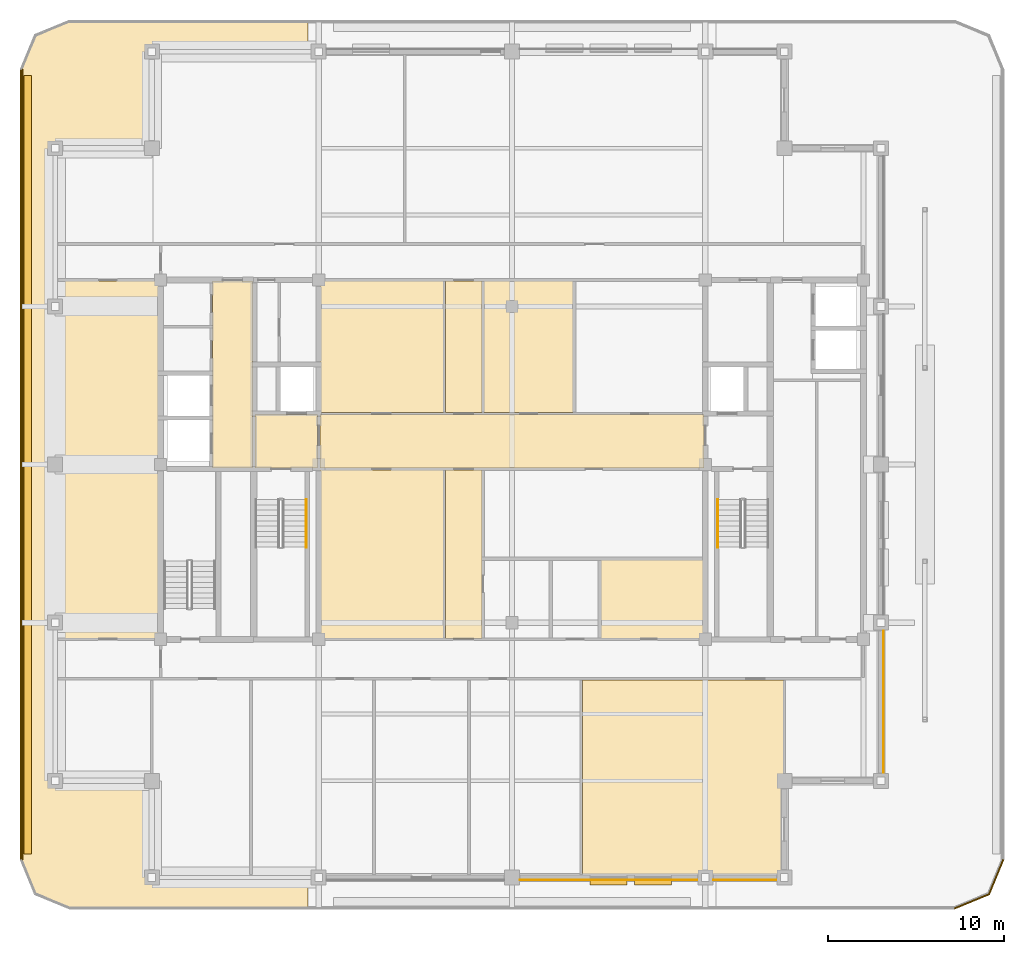
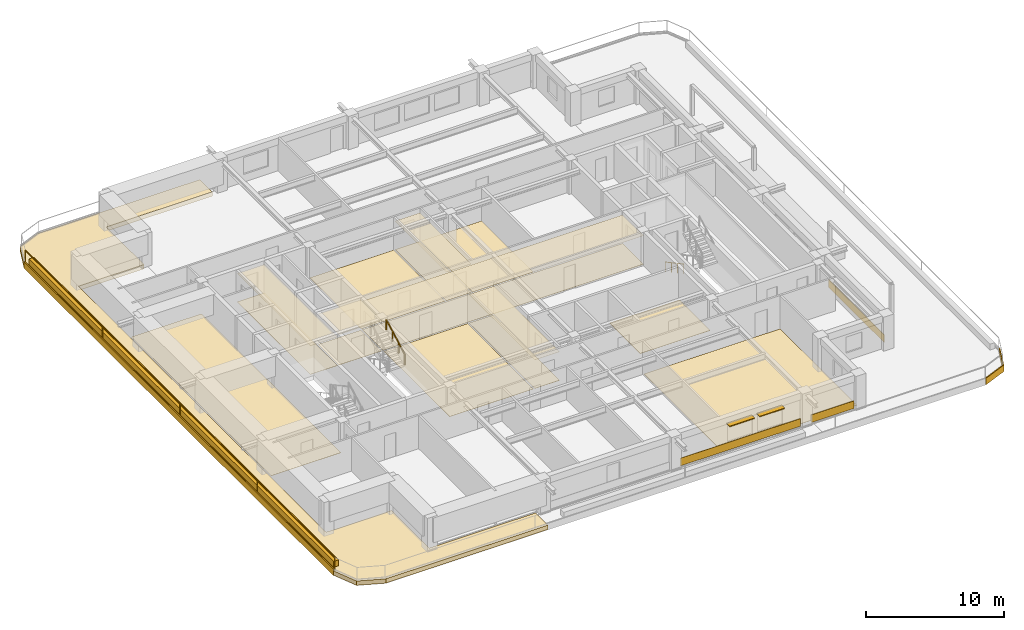
# One storey, part 12 of 14: 24 coverings, 3 railings, 2 shading devices.
"""IFC4 building model written with IfcOpenShell, lengths in metres."""

import ifcopenshell
import ifcopenshell.guid

model = None  # the IFC model being written
_history = None  # IfcOwnerHistory: only IFC2X3 demands one
_inside = {}  # id of a spatial element -> (the spatial element, [elements in it])
_under = {}  # id of a project, library or spatial element -> (it, [spatial elements below it])
_declared = {}  # id of a project -> (the project, [libraries it declares])
_typed = {}  # id of a type object -> (the type object, [elements of that type])
_made_of = {}  # id of a material, layer set ... -> (it, [elements and type objects made of it])


def new_model(schema):
    """Start an empty IFC model of exactly this schema.

    Asked for "IFC4X3", IfcOpenShell would pick the latest addendum, in which some entities
    have other attributes; the version numbers below select the first issue.
    IFC2X3 requires an IfcOwnerHistory on every rooted entity: one is made here for all.
    """
    global model, _history
    if schema == "IFC4X3":
        model = ifcopenshell.file(schema_version=(4, 3, 0, 0))
    else:
        model = ifcopenshell.file(schema=schema)
    _inside.clear()
    _under.clear()
    _declared.clear()
    _typed.clear()
    _made_of.clear()
    _history = None
    if model.schema == "IFC2X3":
        org = make("IfcOrganization", Name="unknown")
        user = make(
            "IfcPersonAndOrganization",
            ThePerson=make("IfcPerson", FamilyName="unknown"),
            TheOrganization=org,
        )
        app = make(
            "IfcApplication",
            ApplicationDeveloper=org,
            Version="unknown",
            ApplicationFullName="unknown",
            ApplicationIdentifier="unknown",
        )
        _history = make(
            "IfcOwnerHistory",
            OwningUser=user,
            OwningApplication=app,
            ChangeAction="ADDED",
            CreationDate=0,
        )
    return model


def make(cls, **values):
    """One entity of the class cls with the attributes given. An attribute that is None is left unset."""
    return model.create_entity(
        cls, **{name: value for name, value in values.items() if value is not None}
    )


def rooted(cls, **values):
    """An entity with a GlobalId (a new one), such as an element, a storey or a relation."""
    return make(cls, GlobalId=ifcopenshell.guid.new(), OwnerHistory=_history, **values)


def si_unit(unit_type, name, prefix=None):
    """IfcSIUnit, for example si_unit("LENGTHUNIT", "METRE", prefix="MILLI")."""
    return make("IfcSIUnit", UnitType=unit_type, Prefix=prefix, Name=name)


def assignment(units):
    """IfcUnitAssignment: the units of a project."""
    return None if units is None else make("IfcUnitAssignment", Units=units)


def point(xyz):
    """IfcCartesianPoint."""
    return None if xyz is None else make("IfcCartesianPoint", Coordinates=xyz)


def direction(xyz):
    """IfcDirection."""
    return None if xyz is None else make("IfcDirection", DirectionRatios=xyz)


def frame(location, z_axis=None, x_axis=None):
    """IfcAxis2Placement3D, a coordinate frame: its origin and axes. An axis left out is left unset."""
    return make(
        "IfcAxis2Placement3D",
        Location=point(location),
        Axis=direction(z_axis),
        RefDirection=direction(x_axis),
    )


def frame_2d(location, x_axis=None):
    """IfcAxis2Placement2D, a coordinate frame in the plane: its origin and x axis."""
    return make(
        "IfcAxis2Placement2D", Location=point(location), RefDirection=direction(x_axis)
    )


def origin():
    """The frame at (0, 0, 0) with its axes left unset."""
    return frame((0.0, 0.0, 0.0))


def origin_2d():
    """The frame at (0, 0) in the plane with its x axis left unset."""
    return frame_2d((0.0, 0.0))


def place(relative_to, where):
    """IfcLocalPlacement: puts the frame where relative to a parent placement (None: the world)."""
    return make(
        "IfcLocalPlacement", PlacementRelTo=relative_to, RelativePlacement=where
    )


def context(
    kind, dimensions, precision=None, world=None, true_north=None, identifier=None
):
    """IfcGeometricRepresentationContext, for example the 3D "Model" context."""
    return make(
        "IfcGeometricRepresentationContext",
        ContextIdentifier=identifier,
        ContextType=kind,
        CoordinateSpaceDimension=dimensions,
        Precision=precision,
        WorldCoordinateSystem=world,
        TrueNorth=true_north,
    )


def subcontext(parent, identifier, kind, view, scale=None):
    """IfcGeometricRepresentationSubContext, for example "Body" below "Model"."""
    return make(
        "IfcGeometricRepresentationSubContext",
        ContextIdentifier=identifier,
        ContextType=kind,
        ParentContext=parent,
        TargetScale=scale,
        TargetView=view,
    )


def project(units=None, contexts=None):
    """IfcProject with its units and contexts."""
    return rooted(
        "IfcProject",
        Name="project",
        RepresentationContexts=contexts,
        UnitsInContext=assignment(units),
    )


def spatial(cls, under=None, at=None, **own):
    """A site, building, storey or space (cls), placed at a placement, below another one or the project."""
    s = rooted(cls, ObjectPlacement=at, **own)
    if under is not None:
        _under.setdefault(under.id(), (under, []))[1].append(s)
    return s


def polyline(points):
    """IfcPolyline through the points."""
    return make("IfcPolyline", Points=[point(p) for p in points])


def profile(cls, at=None, kind="AREA", **sizes):
    """A parametric profile (cls). Its sizes go by their IFC names, for example OverallWidth=200.0."""
    return make(cls, ProfileType=kind, Position=at, **sizes)


def rectangle(**sizes):
    """IfcRectangleProfileDef."""
    return profile("IfcRectangleProfileDef", **sizes)


def outline(outer, holes=None, kind="AREA"):
    """IfcArbitraryClosedProfileDef: a profile drawn as a closed curve; with holes, ...WithVoids."""
    if holes is None:
        return make("IfcArbitraryClosedProfileDef", ProfileType=kind, OuterCurve=outer)
    return make(
        "IfcArbitraryProfileDefWithVoids",
        ProfileType=kind,
        OuterCurve=outer,
        InnerCurves=holes,
    )


def extrude(swept, where, along, depth):
    """IfcExtrudedAreaSolid: the profile swept, set in the frame where, extruded along a direction by depth."""
    return make(
        "IfcExtrudedAreaSolid",
        SweptArea=swept,
        Position=where,
        ExtrudedDirection=direction(along),
        Depth=depth,
    )


def shape(context_of_items, identifier, shape_type, items):
    """IfcShapeRepresentation: the items that make up one representation, for example the "Body"."""
    return make(
        "IfcShapeRepresentation",
        ContextOfItems=context_of_items,
        RepresentationIdentifier=identifier,
        RepresentationType=shape_type,
        Items=items,
    )


def material(Name=None, Category=None):
    """IfcMaterial."""
    return make("IfcMaterial", Name=Name, Category=Category)


def layer(
    of_material, thickness, ventilated=None, Name=None, Category=None, Priority=None
):
    """IfcMaterialLayer: one layer of a wall or slab, of a material (None: an air gap)."""
    return make(
        "IfcMaterialLayer",
        Material=of_material,
        LayerThickness=thickness,
        IsVentilated=ventilated,
        Name=Name,
        Category=Category,
        Priority=Priority,
    )


def layer_set(layers, Name=None):
    """IfcMaterialLayerSet."""
    return make("IfcMaterialLayerSet", MaterialLayers=layers, LayerSetName=Name)


def made_of(thing, what):
    """Note that an element or type object is made of a material, layer set ...; save() writes the relation."""
    if what is not None:
        _made_of.setdefault(what.id(), (what, []))[1].append(thing)
    return thing


def type_object(cls, material=None, **own):
    """A type object (cls), such as IfcWallType, which elements share."""
    return made_of(rooted(cls, **own), material)


def element(
    cls,
    number,
    at=None,
    inside=None,
    cuts=None,
    type_object=None,
    material=None,
    context=None,
    identifier="Body",
    shape_type=None,
    held_by="IfcProductDefinitionShape",
    body=None,
    shapes=None,
    **own,
):
    """One element of the class cls, such as IfcWall. Its Tag is "e" and its number.

    at: its placement. inside: the storey or other place that contains it. cuts: it is an
    opening in that element (IfcRelVoidsElement). A single representation is given by context,
    identifier, shape_type and body (its items); several are given by shapes. held_by: the class
    of the entity that holds the representations. save() writes the other relations.
    """
    e = rooted(cls, Tag="e%d" % number, ObjectPlacement=at, **own)
    if body is not None:
        shapes = [shape(context, identifier, shape_type, body)]
    if shapes is not None:
        e.Representation = make(held_by, Representations=shapes)
    if inside is not None:
        _inside.setdefault(inside.id(), (inside, []))[1].append(e)
    if cuts is not None:
        rooted(
            "IfcRelVoidsElement", RelatingBuildingElement=cuts, RelatedOpeningElement=e
        )
    if type_object is not None:
        _typed.setdefault(type_object.id(), (type_object, []))[1].append(e)
    return made_of(e, material)


def aggregate(whole, parts):
    """IfcRelAggregates: a whole, such as a stair, and the parts it consists of."""
    return rooted("IfcRelAggregates", RelatingObject=whole, RelatedObjects=parts)


def save(model, path):
    """Write the relations noted so far, then the file.

    IfcRelAggregates (storeys below a building ...), IfcRelContainedInSpatialStructure (elements
    in a storey), IfcRelDefinesByType, IfcRelAssociatesMaterial and IfcRelDeclares: one each for
    every whole, place, type object, material and project.
    """
    for whole, parts in _under.values():
        aggregate(whole, parts)
    for where, things in _inside.values():
        rooted(
            "IfcRelContainedInSpatialStructure",
            RelatedElements=things,
            RelatingStructure=where,
        )
    for kind, things in _typed.values():
        rooted("IfcRelDefinesByType", RelatedObjects=things, RelatingType=kind)
    for what, things in _made_of.values():
        rooted("IfcRelAssociatesMaterial", RelatedObjects=things, RelatingMaterial=what)
    for by, libraries in _declared.values():
        rooted("IfcRelDeclares", RelatingContext=by, RelatedDefinitions=libraries)
    model.write(path)


model = new_model("IFC4")

# Units and contexts
model_context = context("Model", 3, precision=1e-05, world=origin(), true_north=direction((0.0, 1.0)))
body_context = subcontext(model_context, "Body", "Model", "MODEL_VIEW")
ifc_project = project(units=[si_unit("LENGTHUNIT", "METRE"), si_unit("AREAUNIT", "SQUARE_METRE"), si_unit("VOLUMEUNIT", "CUBIC_METRE"), si_unit("PLANEANGLEUNIT", "RADIAN"), si_unit("MASSUNIT", "GRAM", prefix="KILO")], contexts=[model_context])

# Site, building, storey
site_placement = place(None, origin())
site = spatial("IfcSite", under=ifc_project, at=site_placement, CompositionType="ELEMENT")
building_placement = place(site_placement, origin())
building = spatial("IfcBuilding", under=site, at=building_placement, Name="Zulmaris Gate Convention Tower", CompositionType="ELEMENT")
storey_placement = place(building_placement, frame((0.0, 0.0, 254.429931640625)))
storey = spatial("IfcBuildingStorey", under=building, at=storey_placement, Name="L67", CompositionType="ELEMENT", Elevation=254.429931640625)

# Coverings
ifc_material_1 = material(Name="Precast concrete C40/50", Category="concrete")
ifc_layer_1 = layer(ifc_material_1, 0.0400390625, Name="Precast concrete C40/50")
ifc_layer_set_1 = layer_set([ifc_layer_1], Name="Precast concrete C40/50")
covering_type_1 = type_object("IfcCoveringType", Name="CLAD-SPANDREL-PRECAST", PredefinedType="CLADDING", material=ifc_layer_set_1)
covering_1_placement = place(storey_placement, frame((0.455078125, -23.64990234375, 0.0), z_axis=(0.0, 0.0, 1.0), x_axis=(1.0, 0.0, 0.0)))
element("IfcCovering", 1, at=covering_1_placement, inside=storey, type_object=covering_type_1, Name="CLD-L67-S-2_0", PredefinedType="CLADDING", context=body_context, shape_type="SweptSolid", body=[
    extrude(rectangle(XDim=10.08984375, YDim=0.0400390625, at=frame_2d((5.044921875, 0.0))), origin(), (0.0, 0.0, 1.0), 0.679931640625),
])
covering_2_placement = place(storey_placement, frame((11.455078125, -23.64990234375, 0.0), z_axis=(0.0, 0.0, 1.0), x_axis=(1.0, 0.0, 0.0)))
element("IfcCovering", 2, at=covering_2_placement, inside=storey, type_object=covering_type_1, Name="CLD-L67-S-3_0", PredefinedType="CLADDING", context=body_context, shape_type="SweptSolid", body=[
    extrude(rectangle(XDim=3.58984375, YDim=0.0400390625, at=frame_2d((1.794921875, 0.0))), origin(), (0.0, 0.0, 1.0), 0.679931640625),
])
covering_3_placement = place(storey_placement, frame((21.14990234375, -17.544921875, 0.0), z_axis=(0.0, 0.0, 1.0), x_axis=(0.0, 1.0, 0.0)))
element("IfcCovering", 3, at=covering_3_placement, inside=storey, type_object=covering_type_1, Name="CLD-L67-E-0_0", PredefinedType="CLADDING", context=body_context, shape_type="SweptSolid", body=[
    extrude(rectangle(XDim=8.08984375, YDim=0.0400390625, at=frame_2d((4.044921875, 0.0))), origin(), (0.0, 0.0, 1.0), 0.679931640625),
])
ifc_material_2 = material(Name="White Glazed Architectural Precast Concrete C40/50", Category="concrete")
ifc_layer_2 = layer(ifc_material_2, 0.239990234375, Name="White Glazed Architectural Precast Concrete C40/50")
ifc_layer_set_2 = layer_set([ifc_layer_2], Name="White Glazed Architectural Precast Concrete C40/50")
covering_type_2 = type_object("IfcCoveringType", Name="CLAD-TRAY-DECK", PredefinedType="CLADDING", material=ifc_layer_set_2)
covering_4_placement = place(storey_placement, frame((0.0, 0.0, -0.425048828125)))
element("IfcCovering", 4, at=covering_4_placement, inside=storey, type_object=covering_type_2, Name="L67 West Rounded-Fascia Planter Tray Deck", PredefinedType="CLADDING", context=body_context, shape_type="SweptSolid", body=[
    extrude(outline(polyline([(-28.0, 22.5), (-27.179931640625, 24.47998046875), (-25.199951171875, 25.300048828125), (-11.60205078125, 25.300048828125), (-11.60205078125, 23.5), (-20.5, 23.5), (-20.5, 18.0), (-26.0, 18.0), (-26.0, -18.0), (-20.5, -18.0), (-20.5, -23.5), (-11.60205078125, -23.5), (-11.60205078125, -25.300048828125), (-25.199951171875, -25.300048828125), (-27.179931640625, -24.47998046875), (-28.0, -22.5), (-28.0, 22.5)])), origin(), (0.0, 0.0, 1.0), 0.385009765625),
])
ifc_layer_3 = layer(ifc_material_2, 0.080078125, Name="White Glazed Architectural Precast Concrete C40/50")
ifc_layer_set_3 = layer_set([ifc_layer_3], Name="White Glazed Architectural Precast Concrete C40/50")
covering_type_3 = type_object("IfcCoveringType", Name="CLAD-TRAY-FASCIA", PredefinedType="CLADDING", material=ifc_layer_set_3)
covering_5_placement = place(storey_placement, frame((25.184814453125, -25.262939453125, -0.465087890625), z_axis=(0.0, 0.0, 1.0), x_axis=(0.923873803533, 0.382697263049, 0.0)))
element("IfcCovering", 5, at=covering_5_placement, inside=storey, type_object=covering_type_3, Name="FSC-L67-TR-03", PredefinedType="CLADDING", context=body_context, shape_type="SweptSolid", body=[
    extrude(rectangle(XDim=2.142822265625, YDim=0.080078125, at=frame_2d((1.0712890625, 0.0))), origin(), (0.0, 0.0, 1.0), 0.5849609375),
])
covering_6_placement = place(storey_placement, frame((27.142822265625, -24.464599609375, -0.465087890625), z_axis=(0.0, 0.0, 1.0), x_axis=(0.382656984709, 0.923890487046, 0.0)))
element("IfcCovering", 6, at=covering_6_placement, inside=storey, type_object=covering_type_3, Name="FSC-L67-TR-04", PredefinedType="CLADDING", context=body_context, shape_type="SweptSolid", body=[
    extrude(rectangle(XDim=2.14306640625, YDim=0.080078125, at=frame_2d((1.071533203125, 0.0))), origin(), (0.0, 0.0, 1.0), 0.5849609375),
])
covering_7_placement = place(storey_placement, frame((-27.9599609375, 22.5, -0.465087890625), z_axis=(0.0, 0.0, 1.0), x_axis=(0.0, -1.0, 0.0)))
element("IfcCovering", 7, at=covering_7_placement, inside=storey, type_object=covering_type_3, Name="FSC-L67-TR-11", PredefinedType="CLADDING", context=body_context, shape_type="SweptSolid", body=[
    extrude(rectangle(XDim=45.0, YDim=0.080078125, at=frame_2d((22.5, 0.0))), origin(), (0.0, 0.0, 1.0), 0.5849609375),
])
ifc_material_3 = material(Name="Mineral Fibre Acoustic Ceiling Tile")
ifc_layer_4 = layer(ifc_material_3, 0.02001953125, Name="Mineral Fibre Acoustic Ceiling Tile")
ifc_layer_set_4 = layer_set([ifc_layer_4], Name="Mineral Fibre Acoustic Ceiling Tile")
covering_type_4 = type_object("IfcCoveringType", Name="CLG-ACOUSTIC-600", PredefinedType="CEILING", material=ifc_layer_set_4)
covering_8_placement = place(storey_placement, frame((0.0, 0.0, 2.699951171875)))
element("IfcCovering", 8, at=covering_8_placement, inside=storey, type_object=covering_type_4, Name="CLG-L67-R03", PredefinedType="CEILING", context=body_context, shape_type="SweptSolid", body=[
    extrude(outline(polyline([(-14.639892578125, -0.18994140625), (-11.06005859375, -0.18994140625), (-11.06005859375, 2.840087890625), (-14.639892578125, 2.840087890625), (-14.639892578125, -0.18994140625)])), origin(), (0.0, 0.0, 1.0), 0.02001953125),
])
covering_9_placement = place(storey_placement, frame((0.0, 0.0, 2.5380859375)))
element("IfcCovering", 9, at=covering_9_placement, inside=storey, type_object=covering_type_4, Name="CLG-L67-R18", PredefinedType="CEILING", context=body_context, shape_type="SweptSolid", body=[
    extrude(outline(polyline([(-17.0400390625, -0.18994140625), (-14.760009765625, -0.18994140625), (-14.760009765625, 10.43994140625), (-17.0400390625, 10.43994140625), (-17.0400390625, -0.18994140625)])), origin(), (0.0, 0.0, 1.0), 0.019775390625),
])
covering_10_placement = place(storey_placement, frame((0.0, 0.0, 2.5380859375)))
element("IfcCovering", 10, at=covering_10_placement, inside=storey, type_object=covering_type_4, Name="CLG-L67-R31", PredefinedType="CEILING", context=body_context, shape_type="SweptSolid", body=[
    extrude(outline(polyline([(-10.93994140625, -0.18994140625), (10.93994140625, -0.18994140625), (10.93994140625, 2.840087890625), (-10.93994140625, 2.840087890625), (-10.93994140625, -0.18994140625)])), origin(), (0.0, 0.0, 1.0), 0.019775390625),
])
covering_11_placement = place(storey_placement, frame((0.0, 0.0, 2.5380859375)))
element("IfcCovering", 11, at=covering_11_placement, inside=storey, type_object=covering_type_4, Name="CLG-L67-R32", PredefinedType="CEILING", context=body_context, shape_type="SweptSolid", body=[
    extrude(outline(polyline([(-3.7900390625, 2.9599609375), (-1.7099609375, 2.9599609375), (-1.7099609375, 10.43994140625), (-3.7900390625, 10.43994140625), (-3.7900390625, 2.9599609375)])), origin(), (0.0, 0.0, 1.0), 0.019775390625),
])
covering_12_placement = place(storey_placement, frame((0.0, 0.0, 2.5380859375)))
element("IfcCovering", 12, at=covering_12_placement, inside=storey, type_object=covering_type_4, Name="CLG-L67-R33", PredefinedType="CEILING", context=body_context, shape_type="SweptSolid", body=[
    extrude(outline(polyline([(-3.7900390625, -9.889892578125), (-1.7099609375, -9.889892578125), (-1.7099609375, -0.31005859375), (-3.7900390625, -0.31005859375), (-3.7900390625, -9.889892578125)])), origin(), (0.0, 0.0, 1.0), 0.019775390625),
])
ifc_material_4 = material(Name="Woven Acoustic Wool Carpet Tile")
ifc_layer_5 = layer(ifc_material_4, 0.02001953125, Name="Woven Acoustic Wool Carpet Tile")
ifc_layer_set_5 = layer_set([ifc_layer_5], Name="Woven Acoustic Wool Carpet Tile")
covering_type_5 = type_object("IfcCoveringType", Name="FLR-CARPET-12", PredefinedType="FLOORING", material=ifc_layer_set_5)
covering_13_placement = place(storey_placement, origin())
element("IfcCovering", 13, at=covering_13_placement, inside=storey, type_object=covering_type_5, Name="FLR-L67-R03", PredefinedType="FLOORING", context=body_context, shape_type="SweptSolid", body=[
    extrude(outline(polyline([(-14.639892578125, -0.18994140625), (-11.06005859375, -0.18994140625), (-11.06005859375, 2.840087890625), (-14.639892578125, 2.840087890625), (-14.639892578125, -0.18994140625)])), origin(), (0.0, 0.0, 1.0), 0.02001953125),
])
covering_14_placement = place(storey_placement, origin())
element("IfcCovering", 14, at=covering_14_placement, inside=storey, type_object=covering_type_5, Name="FLR-L67-R18", PredefinedType="FLOORING", context=body_context, shape_type="SweptSolid", body=[
    extrude(outline(polyline([(-17.0400390625, -0.18994140625), (-14.760009765625, -0.18994140625), (-14.760009765625, 10.43994140625), (-17.0400390625, 10.43994140625), (-17.0400390625, -0.18994140625)])), origin(), (0.0, 0.0, 1.0), 0.02001953125),
])
covering_15_placement = place(storey_placement, origin())
element("IfcCovering", 15, at=covering_15_placement, inside=storey, type_object=covering_type_5, Name="FLR-L67-R31", PredefinedType="FLOORING", context=body_context, shape_type="SweptSolid", body=[
    extrude(outline(polyline([(-10.93994140625, -0.18994140625), (10.93994140625, -0.18994140625), (10.93994140625, 2.840087890625), (-10.93994140625, 2.840087890625), (-10.93994140625, -0.18994140625)])), origin(), (0.0, 0.0, 1.0), 0.02001953125),
])
covering_16_placement = place(storey_placement, origin())
element("IfcCovering", 16, at=covering_16_placement, inside=storey, type_object=covering_type_5, Name="FLR-L67-R32", PredefinedType="FLOORING", context=body_context, shape_type="SweptSolid", body=[
    extrude(outline(polyline([(-3.7900390625, 2.9599609375), (-1.7099609375, 2.9599609375), (-1.7099609375, 10.43994140625), (-3.7900390625, 10.43994140625), (-3.7900390625, 2.9599609375)])), origin(), (0.0, 0.0, 1.0), 0.02001953125),
])
covering_17_placement = place(storey_placement, origin())
element("IfcCovering", 17, at=covering_17_placement, inside=storey, type_object=covering_type_5, Name="FLR-L67-R33", PredefinedType="FLOORING", context=body_context, shape_type="SweptSolid", body=[
    extrude(outline(polyline([(-3.7900390625, -9.889892578125), (-1.7099609375, -9.889892578125), (-1.7099609375, -0.31005859375), (-3.7900390625, -0.31005859375), (-3.7900390625, -9.889892578125)])), origin(), (0.0, 0.0, 1.0), 0.02001953125),
])
covering_18_placement = place(storey_placement, origin())
element("IfcCovering", 18, at=covering_18_placement, inside=storey, type_object=covering_type_5, Name="FLR-L67-R40", PredefinedType="FLOORING", context=body_context, shape_type="SweptSolid", body=[
    extrude(outline(polyline([(4.010009765625, -23.43994140625), (15.43994140625, -23.43994140625), (15.43994140625, -12.260009765625), (4.010009765625, -12.260009765625), (4.010009765625, -23.43994140625)])), origin(), (0.0, 0.0, 1.0), 0.02001953125),
])
covering_19_placement = place(storey_placement, origin())
element("IfcCovering", 19, at=covering_19_placement, inside=storey, type_object=covering_type_5, Name="FLR-L67-R44", PredefinedType="FLOORING", context=body_context, shape_type="SweptSolid", body=[
    extrude(outline(polyline([(-10.93994140625, -9.889892578125), (-3.909912109375, -9.889892578125), (-3.909912109375, -0.31005859375), (-10.93994140625, -0.31005859375), (-10.93994140625, -9.889892578125)])), origin(), (0.0, 0.0, 1.0), 0.02001953125),
])
covering_20_placement = place(storey_placement, origin())
element("IfcCovering", 20, at=covering_20_placement, inside=storey, type_object=covering_type_5, Name="FLR-L67-R48", PredefinedType="FLOORING", context=body_context, shape_type="SweptSolid", body=[
    extrude(outline(polyline([(5.06005859375, -9.889892578125), (10.93994140625, -9.889892578125), (10.93994140625, -5.409912109375), (5.06005859375, -5.409912109375), (5.06005859375, -9.889892578125)])), origin(), (0.0, 0.0, 1.0), 0.02001953125),
])
covering_21_placement = place(storey_placement, origin())
element("IfcCovering", 21, at=covering_21_placement, inside=storey, type_object=covering_type_5, Name="FLR-L67-R51", PredefinedType="FLOORING", context=body_context, shape_type="SweptSolid", body=[
    extrude(outline(polyline([(-25.93994140625, -9.889892578125), (-20.06005859375, -9.889892578125), (-20.06005859375, 10.43994140625), (-25.93994140625, 10.43994140625), (-25.93994140625, -9.889892578125)])), origin(), (0.0, 0.0, 1.0), 0.02001953125),
])
ifc_material_5 = material(Name="Polished Granite Terrazzo Tile", Category="masonry")
ifc_layer_6 = layer(ifc_material_5, 0.02001953125, Name="Polished Granite Terrazzo Tile")
ifc_layer_set_6 = layer_set([ifc_layer_6], Name="Polished Granite Terrazzo Tile")
covering_type_6 = type_object("IfcCoveringType", Name="FLR-TERRAZZO-30", PredefinedType="FLOORING", material=ifc_layer_set_6)
covering_22_placement = place(storey_placement, origin())
element("IfcCovering", 22, at=covering_22_placement, inside=storey, type_object=covering_type_6, Name="FLR-L67-R41", PredefinedType="FLOORING", context=body_context, shape_type="SweptSolid", body=[
    extrude(outline(polyline([(-10.93994140625, 2.9599609375), (-3.909912109375, 2.9599609375), (-3.909912109375, 10.43994140625), (-10.93994140625, 10.43994140625), (-10.93994140625, 2.9599609375)])), origin(), (0.0, 0.0, 1.0), 0.02001953125),
])
ifc_material_6 = material(Name="Engineered Teak Parquet Flooring")
ifc_layer_7 = layer(ifc_material_6, 0.02001953125, Name="Engineered Teak Parquet Flooring")
ifc_layer_set_7 = layer_set([ifc_layer_7], Name="Engineered Teak Parquet Flooring")
covering_type_7 = type_object("IfcCoveringType", Name="FLR-TIMBER-18", PredefinedType="FLOORING", material=ifc_layer_set_7)
covering_23_placement = place(storey_placement, origin())
element("IfcCovering", 23, at=covering_23_placement, inside=storey, type_object=covering_type_7, Name="FLR-L67-R42", PredefinedType="FLOORING", context=body_context, shape_type="SweptSolid", body=[
    extrude(outline(polyline([(-1.590087890625, 2.9599609375), (3.47998046875, 2.9599609375), (3.47998046875, 10.43994140625), (-1.590087890625, 10.43994140625), (-1.590087890625, 2.9599609375)])), origin(), (0.0, 0.0, 1.0), 0.02001953125),
])
ifc_material_7 = material(Name="Botanical Green Glazed Precast Concrete C40/50", Category="concrete")
ifc_layer_8 = layer(ifc_material_7, 0.419921875, Name="Botanical Green Glazed Precast Concrete C40/50")
ifc_layer_set_8 = layer_set([ifc_layer_8], Name="Botanical Green Glazed Precast Concrete C40/50")
covering_type_8 = type_object("IfcCoveringType", Name="PLANTER-BOX-200", PredefinedType="CLADDING", material=ifc_layer_set_8)
covering_24_placement = place(storey_placement, frame((0.0, 0.0, -0.0400390625)))
element("IfcCovering", 24, at=covering_24_placement, inside=storey, type_object=covering_type_8, Name="L67 W Full-Length Balcony Tree Planter Trough", PredefinedType="CLADDING", context=body_context, shape_type="SweptSolid", body=[
    extrude(outline(polyline([(-27.760009765625, -22.14990234375), (-27.340087890625, -22.14990234375), (-27.340087890625, 22.14990234375), (-27.760009765625, 22.14990234375), (-27.760009765625, -22.14990234375)])), origin(), (0.0, 0.0, 1.0), 0.52001953125),
])

# Railings
ifc_material_8 = material(Name="Laminated Glass and Stainless Steel", Category="steel")
railing_type_1 = type_object("IfcRailingType", Name="RL-BALC-1150", PredefinedType="BALUSTRADE", material=ifc_material_8)
railing_1_placement = place(storey_placement, frame((-27.8798828125, 22.5, -0.0400390625)))
element("IfcRailing", 25, at=railing_1_placement, inside=storey, type_object=railing_type_1, Name="RL-L67-BALC-W", PredefinedType="BALUSTRADE", context=body_context, shape_type="SweptSolid", body=[
    extrude(rectangle(XDim=0.048095703125, YDim=0.048095703125, at=origin_2d()), frame((0.0, 0.0, 1.1259765625), z_axis=(0.0, -1.0, 0.0), x_axis=(1.0, 0.0, 0.0)), (0.0, 0.0, 1.0), 45.0),
    extrude(rectangle(XDim=0.048095703125, YDim=0.048095703125, at=origin_2d()), frame((0.0, 0.0, 0.02392578125), z_axis=(0.0, -1.0, 0.0), x_axis=(1.0, 0.0, 0.0)), (0.0, 0.0, 1.0), 45.0),
    extrude(rectangle(XDim=0.0419921875, YDim=0.0419921875, at=origin_2d()), origin(), (0.0, 0.0, 1.0), 1.101806640625),
    extrude(rectangle(XDim=0.0419921875, YDim=0.0419921875, at=origin_2d()), frame((0.0, -11.25, 0.0)), (0.0, 0.0, 1.0), 1.101806640625),
    extrude(rectangle(XDim=0.0419921875, YDim=0.0419921875, at=origin_2d()), frame((0.0, -22.5, 0.0)), (0.0, 0.0, 1.0), 1.101806640625),
    extrude(rectangle(XDim=0.0419921875, YDim=0.0419921875, at=origin_2d()), frame((0.0, -33.75, 0.0)), (0.0, 0.0, 1.0), 1.101806640625),
    extrude(rectangle(XDim=0.0419921875, YDim=0.0419921875, at=origin_2d()), frame((0.0, -45.0, 0.0)), (0.0, 0.0, 1.0), 1.101806640625),
])
ifc_material_9 = material(Name="Brushed Stainless Steel", Category="steel")
railing_type_2 = type_object("IfcRailingType", Name="RL-STH-900", PredefinedType="HANDRAIL", material=ifc_material_9)
railing_2_placement = place(storey_placement, frame((-11.7099609375, -4.699951171875, 1.7763671875)))
element("IfcRailing", 26, at=railing_2_placement, inside=storey, type_object=railing_type_2, Name="L67 ST-1 stair handrail 2", PredefinedType="HANDRAIL", context=body_context, shape_type="SweptSolid", body=[
    extrude(rectangle(XDim=0.048095703125, YDim=0.048095703125, at=origin_2d()), frame((0.0, 0.0, 0.8759765625), z_axis=(0.0, 0.880499220447, 0.474047595492), x_axis=(-1.0, 0.0, 0.0)), (0.0, 0.0, 1.0), 3.06640625),
    extrude(rectangle(XDim=0.0419921875, YDim=0.0419921875, at=origin_2d()), origin(), (0.0, 0.0, 1.0), 0.851806640625),
    extrude(rectangle(XDim=0.0419921875, YDim=0.0419921875, at=origin_2d()), frame((0.0, 0.89990234375, 0.484619140625)), (0.0, 0.0, 1.0), 0.851806640625),
    extrude(rectangle(XDim=0.0419921875, YDim=0.0419921875, at=origin_2d()), frame((0.0, 1.800048828125, 0.968994140625)), (0.0, 0.0, 1.0), 0.851806640625),
    extrude(rectangle(XDim=0.0419921875, YDim=0.0419921875, at=origin_2d()), frame((0.0, 2.699951171875, 1.45361328125)), (0.0, 0.0, 1.0), 0.851806640625),
])
railing_3_placement = place(storey_placement, frame((11.7099609375, -2.0, 0.161376953125)))
element("IfcRailing", 27, at=railing_3_placement, inside=storey, type_object=railing_type_2, Name="L67 ST-2 stair handrail 1", PredefinedType="HANDRAIL", context=body_context, shape_type="SweptSolid", body=[
    extrude(rectangle(XDim=0.048095703125, YDim=0.048095703125, at=origin_2d()), frame((0.0, 0.0, 0.8759765625), z_axis=(0.0, -0.880499220447, 0.474047595492), x_axis=(1.0, 0.0, 0.0)), (0.0, 0.0, 1.0), 3.06640625),
    extrude(rectangle(XDim=0.0419921875, YDim=0.0419921875, at=origin_2d()), origin(), (0.0, 0.0, 1.0), 0.851806640625),
    extrude(rectangle(XDim=0.0419921875, YDim=0.0419921875, at=origin_2d()), frame((0.0, -0.89990234375, 0.484619140625)), (0.0, 0.0, 1.0), 0.851806640625),
    extrude(rectangle(XDim=0.0419921875, YDim=0.0419921875, at=origin_2d()), frame((0.0, -1.800048828125, 0.968994140625)), (0.0, 0.0, 1.0), 0.851806640625),
    extrude(rectangle(XDim=0.0419921875, YDim=0.0419921875, at=origin_2d()), frame((0.0, -2.699951171875, 1.45361328125)), (0.0, 0.0, 1.0), 0.851806640625),
])

# Shading devices
ifc_material_10 = material(Name="Glazed Ceramic Terracotta", Category="masonry")
ifc_layer_9 = layer(ifc_material_10, 0.070068359375, Name="Glazed Ceramic Terracotta")
ifc_layer_set_9 = layer_set([ifc_layer_9], Name="Glazed Ceramic Terracotta")
shading_device_type = type_object("IfcShadingDeviceType", Name="SHD-SUNSHADE-TC", PredefinedType="AWNING", material=ifc_layer_set_9)
for number, where, z_axis, x_axis, name in (
    (28, (4.449951171875, -23.719970703125, 2.22998046875), (0.0, 0.0, 1.0), (1.0, 0.0, 0.0), "SHD-EW-L67-S-2_0-2"),
    (29, (6.972900390625, -23.719970703125, 2.22998046875), (0.0, 0.0, 1.0), (1.0, 0.0, 0.0), "SHD-EW-L67-S-2_0-3"),
):
    element("IfcShadingDevice", number, at=place(storey_placement, frame(where, z_axis=z_axis, x_axis=x_axis)), inside=storey, type_object=shading_device_type, Name=name, PredefinedType="AWNING", context=body_context, shape_type="SweptSolid", body=[
        extrude(rectangle(XDim=2.10009765625, YDim=0.43994140625, at=frame_2d((1.050048828125, 0.0))), origin(), (0.0, 0.0, 1.0), 0.070068359375),
    ])

save(model, "model.ifc")
